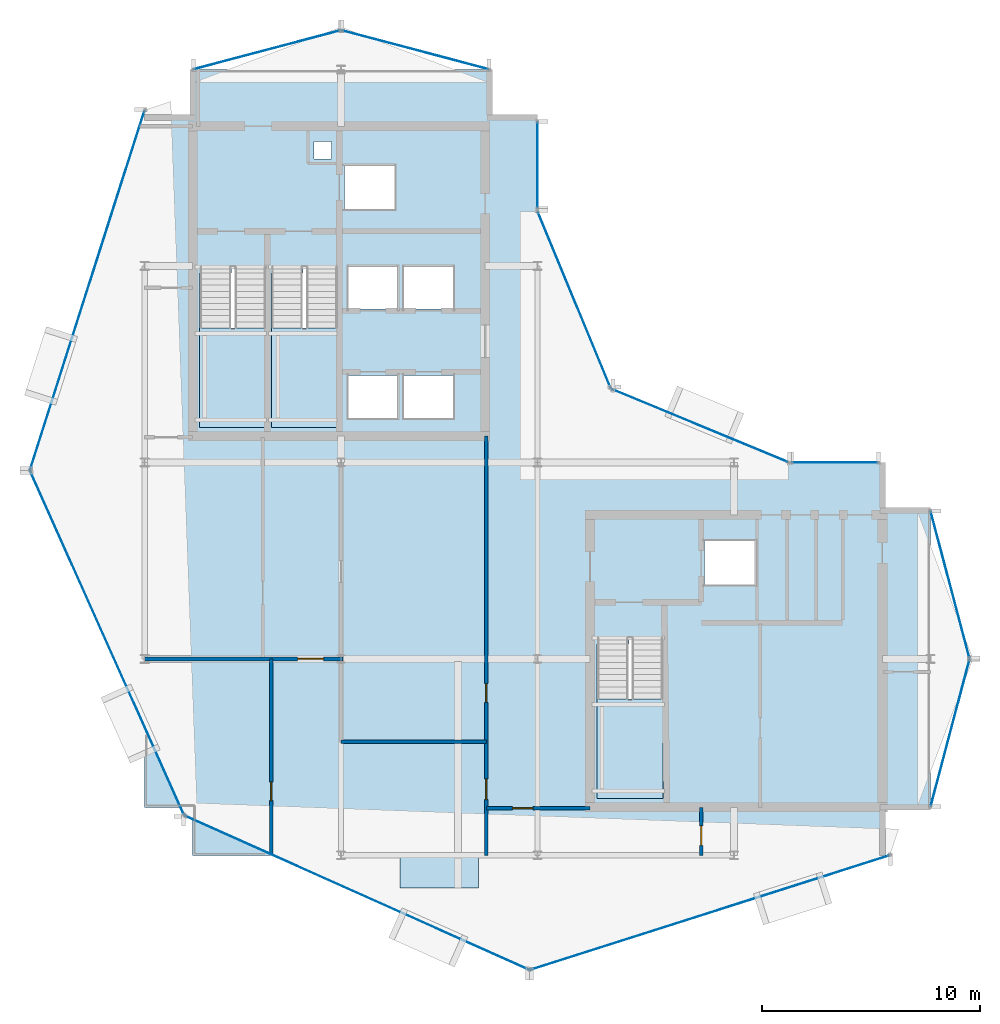
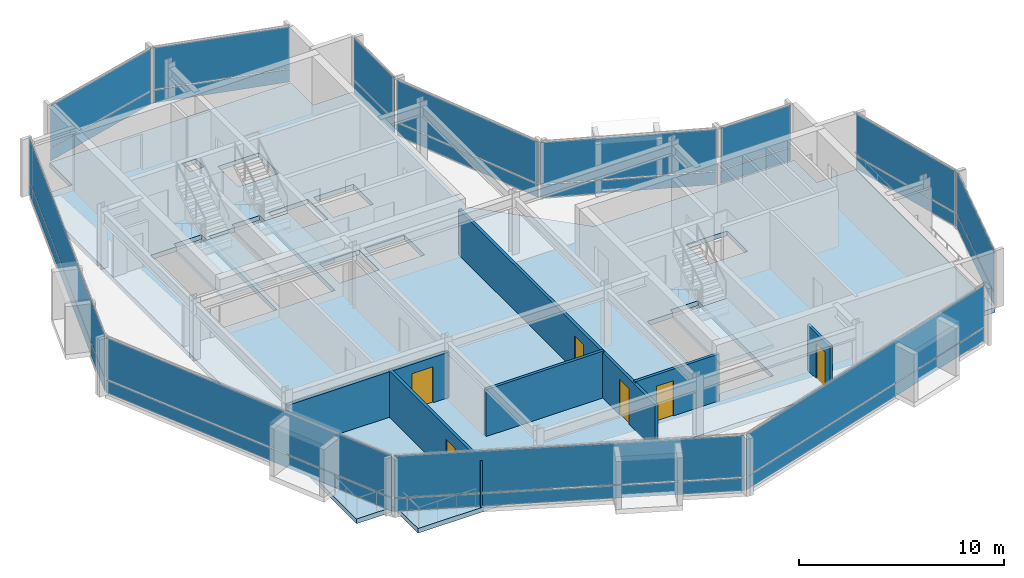
# One storey, part 13 of 19: 24 plates, 6 doors, 6 walls, 5 slabs, 6 openings, 15 elements without a shape of their own.
"""IFC4 building model written with IfcOpenShell, lengths in metres."""

import ifcopenshell
import ifcopenshell.guid

model = None  # the IFC model being written
_history = None  # IfcOwnerHistory: only IFC2X3 demands one
_inside = {}  # id of a spatial element -> (the spatial element, [elements in it])
_under = {}  # id of a project, library or spatial element -> (it, [spatial elements below it])
_declared = {}  # id of a project -> (the project, [libraries it declares])
_typed = {}  # id of a type object -> (the type object, [elements of that type])
_made_of = {}  # id of a material, layer set ... -> (it, [elements and type objects made of it])


def new_model(schema):
    """Start an empty IFC model of exactly this schema.

    Asked for "IFC4X3", IfcOpenShell would pick the latest addendum, in which some entities
    have other attributes; the version numbers below select the first issue.
    IFC2X3 requires an IfcOwnerHistory on every rooted entity: one is made here for all.
    """
    global model, _history
    if schema == "IFC4X3":
        model = ifcopenshell.file(schema_version=(4, 3, 0, 0))
    else:
        model = ifcopenshell.file(schema=schema)
    _inside.clear()
    _under.clear()
    _declared.clear()
    _typed.clear()
    _made_of.clear()
    _history = None
    if model.schema == "IFC2X3":
        org = make("IfcOrganization", Name="unknown")
        user = make(
            "IfcPersonAndOrganization",
            ThePerson=make("IfcPerson", FamilyName="unknown"),
            TheOrganization=org,
        )
        app = make(
            "IfcApplication",
            ApplicationDeveloper=org,
            Version="unknown",
            ApplicationFullName="unknown",
            ApplicationIdentifier="unknown",
        )
        _history = make(
            "IfcOwnerHistory",
            OwningUser=user,
            OwningApplication=app,
            ChangeAction="ADDED",
            CreationDate=0,
        )
    return model


def make(cls, **values):
    """One entity of the class cls with the attributes given. An attribute that is None is left unset."""
    return model.create_entity(
        cls, **{name: value for name, value in values.items() if value is not None}
    )


def rooted(cls, **values):
    """An entity with a GlobalId (a new one), such as an element, a storey or a relation."""
    return make(cls, GlobalId=ifcopenshell.guid.new(), OwnerHistory=_history, **values)


def si_unit(unit_type, name, prefix=None):
    """IfcSIUnit, for example si_unit("LENGTHUNIT", "METRE", prefix="MILLI")."""
    return make("IfcSIUnit", UnitType=unit_type, Prefix=prefix, Name=name)


def assignment(units):
    """IfcUnitAssignment: the units of a project."""
    return None if units is None else make("IfcUnitAssignment", Units=units)


def point(xyz):
    """IfcCartesianPoint."""
    return None if xyz is None else make("IfcCartesianPoint", Coordinates=xyz)


def direction(xyz):
    """IfcDirection."""
    return None if xyz is None else make("IfcDirection", DirectionRatios=xyz)


def frame(location, z_axis=None, x_axis=None):
    """IfcAxis2Placement3D, a coordinate frame: its origin and axes. An axis left out is left unset."""
    return make(
        "IfcAxis2Placement3D",
        Location=point(location),
        Axis=direction(z_axis),
        RefDirection=direction(x_axis),
    )


def frame_2d(location, x_axis=None):
    """IfcAxis2Placement2D, a coordinate frame in the plane: its origin and x axis."""
    return make(
        "IfcAxis2Placement2D", Location=point(location), RefDirection=direction(x_axis)
    )


def origin():
    """The frame at (0, 0, 0) with its axes left unset."""
    return frame((0.0, 0.0, 0.0))


def origin_2d():
    """The frame at (0, 0) in the plane with its x axis left unset."""
    return frame_2d((0.0, 0.0))


def place(relative_to, where):
    """IfcLocalPlacement: puts the frame where relative to a parent placement (None: the world)."""
    return make(
        "IfcLocalPlacement", PlacementRelTo=relative_to, RelativePlacement=where
    )


def context(
    kind, dimensions, precision=None, world=None, true_north=None, identifier=None
):
    """IfcGeometricRepresentationContext, for example the 3D "Model" context."""
    return make(
        "IfcGeometricRepresentationContext",
        ContextIdentifier=identifier,
        ContextType=kind,
        CoordinateSpaceDimension=dimensions,
        Precision=precision,
        WorldCoordinateSystem=world,
        TrueNorth=true_north,
    )


def subcontext(parent, identifier, kind, view, scale=None):
    """IfcGeometricRepresentationSubContext, for example "Body" below "Model"."""
    return make(
        "IfcGeometricRepresentationSubContext",
        ContextIdentifier=identifier,
        ContextType=kind,
        ParentContext=parent,
        TargetScale=scale,
        TargetView=view,
    )


def project(units=None, contexts=None):
    """IfcProject with its units and contexts."""
    return rooted(
        "IfcProject",
        Name="project",
        RepresentationContexts=contexts,
        UnitsInContext=assignment(units),
    )


def spatial(cls, under=None, at=None, **own):
    """A site, building, storey or space (cls), placed at a placement, below another one or the project."""
    s = rooted(cls, ObjectPlacement=at, **own)
    if under is not None:
        _under.setdefault(under.id(), (under, []))[1].append(s)
    return s


def polyline(points):
    """IfcPolyline through the points."""
    return make("IfcPolyline", Points=[point(p) for p in points])


def profile(cls, at=None, kind="AREA", **sizes):
    """A parametric profile (cls). Its sizes go by their IFC names, for example OverallWidth=200.0."""
    return make(cls, ProfileType=kind, Position=at, **sizes)


def rectangle(**sizes):
    """IfcRectangleProfileDef."""
    return profile("IfcRectangleProfileDef", **sizes)


def outline(outer, holes=None, kind="AREA"):
    """IfcArbitraryClosedProfileDef: a profile drawn as a closed curve; with holes, ...WithVoids."""
    if holes is None:
        return make("IfcArbitraryClosedProfileDef", ProfileType=kind, OuterCurve=outer)
    return make(
        "IfcArbitraryProfileDefWithVoids",
        ProfileType=kind,
        OuterCurve=outer,
        InnerCurves=holes,
    )


def extrude(swept, where, along, depth):
    """IfcExtrudedAreaSolid: the profile swept, set in the frame where, extruded along a direction by depth."""
    return make(
        "IfcExtrudedAreaSolid",
        SweptArea=swept,
        Position=where,
        ExtrudedDirection=direction(along),
        Depth=depth,
    )


def shape(context_of_items, identifier, shape_type, items):
    """IfcShapeRepresentation: the items that make up one representation, for example the "Body"."""
    return make(
        "IfcShapeRepresentation",
        ContextOfItems=context_of_items,
        RepresentationIdentifier=identifier,
        RepresentationType=shape_type,
        Items=items,
    )


def material(Name=None, Category=None):
    """IfcMaterial."""
    return make("IfcMaterial", Name=Name, Category=Category)


def layer(
    of_material, thickness, ventilated=None, Name=None, Category=None, Priority=None
):
    """IfcMaterialLayer: one layer of a wall or slab, of a material (None: an air gap)."""
    return make(
        "IfcMaterialLayer",
        Material=of_material,
        LayerThickness=thickness,
        IsVentilated=ventilated,
        Name=Name,
        Category=Category,
        Priority=Priority,
    )


def layer_set(layers, Name=None):
    """IfcMaterialLayerSet."""
    return make("IfcMaterialLayerSet", MaterialLayers=layers, LayerSetName=Name)


def made_of(thing, what):
    """Note that an element or type object is made of a material, layer set ...; save() writes the relation."""
    if what is not None:
        _made_of.setdefault(what.id(), (what, []))[1].append(thing)
    return thing


def type_object(cls, material=None, **own):
    """A type object (cls), such as IfcWallType, which elements share."""
    return made_of(rooted(cls, **own), material)


def element(
    cls,
    number,
    at=None,
    inside=None,
    cuts=None,
    type_object=None,
    material=None,
    context=None,
    identifier="Body",
    shape_type=None,
    held_by="IfcProductDefinitionShape",
    body=None,
    shapes=None,
    **own,
):
    """One element of the class cls, such as IfcWall. Its Tag is "e" and its number.

    at: its placement. inside: the storey or other place that contains it. cuts: it is an
    opening in that element (IfcRelVoidsElement). A single representation is given by context,
    identifier, shape_type and body (its items); several are given by shapes. held_by: the class
    of the entity that holds the representations. save() writes the other relations.
    """
    e = rooted(cls, Tag="e%d" % number, ObjectPlacement=at, **own)
    if body is not None:
        shapes = [shape(context, identifier, shape_type, body)]
    if shapes is not None:
        e.Representation = make(held_by, Representations=shapes)
    if inside is not None:
        _inside.setdefault(inside.id(), (inside, []))[1].append(e)
    if cuts is not None:
        rooted(
            "IfcRelVoidsElement", RelatingBuildingElement=cuts, RelatedOpeningElement=e
        )
    if type_object is not None:
        _typed.setdefault(type_object.id(), (type_object, []))[1].append(e)
    return made_of(e, material)


def fill(opening, filler):
    """IfcRelFillsElement: the door or window that sits in an opening."""
    return rooted(
        "IfcRelFillsElement",
        RelatingOpeningElement=opening,
        RelatedBuildingElement=filler,
    )


def aggregate(whole, parts):
    """IfcRelAggregates: a whole, such as a stair, and the parts it consists of."""
    return rooted("IfcRelAggregates", RelatingObject=whole, RelatedObjects=parts)


def save(model, path):
    """Write the relations noted so far, then the file.

    IfcRelAggregates (storeys below a building ...), IfcRelContainedInSpatialStructure (elements
    in a storey), IfcRelDefinesByType, IfcRelAssociatesMaterial and IfcRelDeclares: one each for
    every whole, place, type object, material and project.
    """
    for whole, parts in _under.values():
        aggregate(whole, parts)
    for where, things in _inside.values():
        rooted(
            "IfcRelContainedInSpatialStructure",
            RelatedElements=things,
            RelatingStructure=where,
        )
    for kind, things in _typed.values():
        rooted("IfcRelDefinesByType", RelatedObjects=things, RelatingType=kind)
    for what, things in _made_of.values():
        rooted("IfcRelAssociatesMaterial", RelatedObjects=things, RelatingMaterial=what)
    for by, libraries in _declared.values():
        rooted("IfcRelDeclares", RelatingContext=by, RelatedDefinitions=libraries)
    model.write(path)


model = new_model("IFC4")

# Units and contexts
model_context = context("Model", 3, precision=1e-05, world=origin(), true_north=direction((0.0, 1.0)))
body_context = subcontext(model_context, "Body", "Model", "MODEL_VIEW")
ifc_project = project(units=[si_unit("LENGTHUNIT", "METRE"), si_unit("AREAUNIT", "SQUARE_METRE"), si_unit("VOLUMEUNIT", "CUBIC_METRE"), si_unit("PLANEANGLEUNIT", "RADIAN"), si_unit("MASSUNIT", "GRAM", prefix="KILO")], contexts=[model_context])

# Site, building, storey
site_placement = place(None, origin())
site = spatial("IfcSite", under=ifc_project, at=site_placement, CompositionType="ELEMENT")
building_placement = place(site_placement, origin())
building = spatial("IfcBuilding", under=site, at=building_placement, Name="Solvaryn Broadcast Tower", CompositionType="ELEMENT")
storey_placement = place(building_placement, frame((0.0, 0.0, 255.60009765625)))
storey = spatial("IfcBuildingStorey", under=building, at=storey_placement, Name="L64", CompositionType="ELEMENT", Elevation=255.60009765625)

# Curtain wall, plates
ifc_material_1 = material(Name="Aluminium and Terracotta Unitised Curtain Wall", Category="masonry")
ifc_layer_1 = layer(ifc_material_1, 0.199951171875)
ifc_layer_set_1 = layer_set([ifc_layer_1], Name="CW-SYS2-LOWMID")
curtain_wall_type_1 = type_object("IfcCurtainWallType", Name="CW-SYS2-LOWMID", PredefinedType="NOTDEFINED", material=ifc_layer_set_1)
curtain_wall_1_placement = place(storey_placement, origin())
curtain_wall_1 = element("IfcCurtainWall", 1, at=curtain_wall_1_placement, inside=storey, type_object=curtain_wall_type_1, Name="L64 Curtain Wall DR1", PredefinedType="NOTDEFINED")
ifc_material_2 = material(Name="Kiln-Fired Architectural Terracotta Spandrel", Category="masonry")
ifc_layer_2 = layer(ifc_material_2, 0.048095703125)
ifc_layer_set_2 = layer_set([ifc_layer_2], Name="CW-PNL-TERRACOTTA")
plate_type = type_object("IfcPlateType", Name="CW-PNL-TERRACOTTA", PredefinedType="CURTAIN_PANEL", material=ifc_layer_set_2)
plate_1_placement = place(storey_placement, frame((6.368896484375, 34.892578125, 0.06005859375), z_axis=(0.0, 0.0, 1.0), x_axis=(-0.30361564569, -0.952794594701, 0.0)))
plate_1 = element("IfcPlate", 2, at=plate_1_placement, type_object=plate_type, Name="CWS2 panel 1.1", PredefinedType="CURTAIN_PANEL", context=body_context, shape_type="SweptSolid", body=[
    extrude(rectangle(XDim=17.211181640625, YDim=0.028076171875, at=origin_2d()), origin(), (0.0, 0.0, 1.0), 0.760009765625),
])
plate_2_placement = place(storey_placement, frame((6.368896484375, 34.892578125, 0.8798828125), z_axis=(0.0, 0.0, 1.0), x_axis=(-0.30361564569, -0.952794594701, 0.0)))
plate_2 = element("IfcPlate", 3, at=plate_2_placement, type_object=plate_type, Name="CWS2 panel 1.2", PredefinedType="CURTAIN_PANEL", context=body_context, shape_type="SweptSolid", body=[
    extrude(rectangle(XDim=17.211181640625, YDim=0.028076171875, at=origin_2d()), origin(), (0.0, 0.0, 1.0), 2.47998046875),
])
aggregate(curtain_wall_1, [plate_1, plate_2])

ifc_material_3 = material(Name="Aluminium and Terracotta Unitised Curtain Wall", Category="masonry")
ifc_layer_3 = layer(ifc_material_3, 0.239990234375)
ifc_layer_set_3 = layer_set([ifc_layer_3], Name="CW-SYS3-BAYBOX")
curtain_wall_type_2 = type_object("IfcCurtainWallType", Name="CW-SYS3-BAYBOX", PredefinedType="NOTDEFINED", material=ifc_layer_set_3)
curtain_wall_2_placement = place(storey_placement, origin())
curtain_wall_2 = element("IfcCurtainWall", 4, at=curtain_wall_2_placement, inside=storey, type_object=curtain_wall_type_2, Name="L64 Curtain Wall DR2", PredefinedType="NOTDEFINED")
plate_3_placement = place(storey_placement, frame((7.277587890625, 18.7265625, 0.06005859375), z_axis=(0.0, 0.0, 1.0), x_axis=(0.408466010682, -0.912773530574, 0.0)))
plate_3 = element("IfcPlate", 5, at=plate_3_placement, type_object=plate_type, Name="CWS3 panel 1.1", PredefinedType="CURTAIN_PANEL", context=body_context, shape_type="SweptSolid", body=[
    extrude(rectangle(XDim=17.210693359375, YDim=0.028076171875, at=origin_2d()), origin(), (0.0, 0.0, 1.0), 0.760009765625),
])
plate_4_placement = place(storey_placement, frame((7.277587890625, 18.7265625, 0.8798828125), z_axis=(0.0, 0.0, 1.0), x_axis=(0.408466010682, -0.912773530574, 0.0)))
plate_4 = element("IfcPlate", 6, at=plate_4_placement, type_object=plate_type, Name="CWS3 panel 1.2", PredefinedType="CURTAIN_PANEL", context=body_context, shape_type="SweptSolid", body=[
    extrude(rectangle(XDim=17.210693359375, YDim=0.028076171875, at=origin_2d()), origin(), (0.0, 0.0, 1.0), 2.47998046875),
])
aggregate(curtain_wall_2, [plate_3, plate_4])

curtain_wall_3_placement = place(storey_placement, origin())
curtain_wall_3 = element("IfcCurtainWall", 7, at=curtain_wall_3_placement, inside=storey, type_object=curtain_wall_type_1, Name="L64 Curtain Wall DR3", PredefinedType="NOTDEFINED")
plate_5_placement = place(storey_placement, frame((18.7265625, 7.277587890625, 0.06005859375), z_axis=(0.0, 0.0, 1.0), x_axis=(0.912773530574, -0.408466010682, 0.0)))
plate_5 = element("IfcPlate", 8, at=plate_5_placement, type_object=plate_type, Name="CWS2 panel 1.1", PredefinedType="CURTAIN_PANEL", context=body_context, shape_type="SweptSolid", body=[
    extrude(rectangle(XDim=17.210693359375, YDim=0.028076171875, at=origin_2d()), origin(), (0.0, 0.0, 1.0), 0.760009765625),
])
plate_6_placement = place(storey_placement, frame((18.7265625, 7.277587890625, 0.8798828125), z_axis=(0.0, 0.0, 1.0), x_axis=(0.912773530574, -0.408466010682, 0.0)))
plate_6 = element("IfcPlate", 9, at=plate_6_placement, type_object=plate_type, Name="CWS2 panel 1.2", PredefinedType="CURTAIN_PANEL", context=body_context, shape_type="SweptSolid", body=[
    extrude(rectangle(XDim=17.210693359375, YDim=0.028076171875, at=origin_2d()), origin(), (0.0, 0.0, 1.0), 2.47998046875),
])
aggregate(curtain_wall_3, [plate_5, plate_6])

curtain_wall_4_placement = place(storey_placement, origin())
curtain_wall_4 = element("IfcCurtainWall", 10, at=curtain_wall_4_placement, inside=storey, type_object=curtain_wall_type_1, Name="L64 Curtain Wall DR4", PredefinedType="NOTDEFINED")
plate_7_placement = place(storey_placement, frame((34.892578125, 6.368896484375, 0.06005859375), z_axis=(0.0, 0.0, 1.0), x_axis=(0.952794594701, 0.30361564569, 0.0)))
plate_7 = element("IfcPlate", 11, at=plate_7_placement, type_object=plate_type, Name="CWS2 panel 1.1", PredefinedType="CURTAIN_PANEL", context=body_context, shape_type="SweptSolid", body=[
    extrude(rectangle(XDim=17.211181640625, YDim=0.028076171875, at=origin_2d()), origin(), (0.0, 0.0, 1.0), 0.760009765625),
])
plate_8_placement = place(storey_placement, frame((34.892578125, 6.368896484375, 0.8798828125), z_axis=(0.0, 0.0, 1.0), x_axis=(0.952794594701, 0.30361564569, 0.0)))
plate_8 = element("IfcPlate", 12, at=plate_8_placement, type_object=plate_type, Name="CWS2 panel 1.2", PredefinedType="CURTAIN_PANEL", context=body_context, shape_type="SweptSolid", body=[
    extrude(rectangle(XDim=17.211181640625, YDim=0.028076171875, at=origin_2d()), origin(), (0.0, 0.0, 1.0), 2.47998046875),
])
aggregate(curtain_wall_4, [plate_7, plate_8])

curtain_wall_5_placement = place(storey_placement, origin())
curtain_wall_5 = element("IfcCurtainWall", 13, at=curtain_wall_5_placement, inside=storey, type_object=curtain_wall_type_1, Name="L64 Curtain Wall IV", PredefinedType="NOTDEFINED")
plate_9_placement = place(storey_placement, frame((27.0, 40.625, 0.06005859375), z_axis=(0.0, 0.0, 1.0), x_axis=(0.0, -1.0, 0.0)))
plate_9 = element("IfcPlate", 14, at=plate_9_placement, type_object=plate_type, Name="CWS2 panel 1.1", PredefinedType="CURTAIN_PANEL", context=body_context, shape_type="SweptSolid", body=[
    extrude(rectangle(XDim=3.929931640625, YDim=0.028076171875, at=origin_2d()), origin(), (0.0, 0.0, 1.0), 0.760009765625),
])
plate_10_placement = place(storey_placement, frame((27.0, 40.625, 0.8798828125), z_axis=(0.0, 0.0, 1.0), x_axis=(0.0, -1.0, 0.0)))
plate_10 = element("IfcPlate", 15, at=plate_10_placement, type_object=plate_type, Name="CWS2 panel 1.2", PredefinedType="CURTAIN_PANEL", context=body_context, shape_type="SweptSolid", body=[
    extrude(rectangle(XDim=3.929931640625, YDim=0.028076171875, at=origin_2d()), origin(), (0.0, 0.0, 1.0), 2.47998046875),
])
aggregate(curtain_wall_5, [plate_9, plate_10])

curtain_wall_6_placement = place(storey_placement, origin())
curtain_wall_6 = element("IfcCurtainWall", 16, at=curtain_wall_6_placement, inside=storey, type_object=curtain_wall_type_1, Name="L64 Curtain Wall CN1", PredefinedType="NOTDEFINED")
plate_11_placement = place(storey_placement, frame((34.43408203125, 28.68408203125, 0.06005859375), z_axis=(0.0, 0.0, 1.0), x_axis=(-0.923894983957, 0.382646127145, 0.0)))
plate_11 = element("IfcPlate", 17, at=plate_11_placement, type_object=plate_type, Name="CWS2 panel 1.1", PredefinedType="CURTAIN_PANEL", context=body_context, shape_type="SweptSolid", body=[
    extrude(rectangle(XDim=8.681884765625, YDim=0.028076171875, at=origin_2d()), origin(), (0.0, 0.0, 1.0), 0.760009765625),
])
plate_12_placement = place(storey_placement, frame((34.43408203125, 28.68408203125, 0.8798828125), z_axis=(0.0, 0.0, 1.0), x_axis=(-0.923894983957, 0.382646127145, 0.0)))
plate_12 = element("IfcPlate", 18, at=plate_12_placement, type_object=plate_type, Name="CWS2 panel 1.2", PredefinedType="CURTAIN_PANEL", context=body_context, shape_type="SweptSolid", body=[
    extrude(rectangle(XDim=8.681884765625, YDim=0.028076171875, at=origin_2d()), origin(), (0.0, 0.0, 1.0), 2.47998046875),
])
aggregate(curtain_wall_6, [plate_11, plate_12])

curtain_wall_7_placement = place(storey_placement, origin())
curtain_wall_7 = element("IfcCurtainWall", 19, at=curtain_wall_7_placement, inside=storey, type_object=curtain_wall_type_1, Name="L64 Curtain Wall CN2", PredefinedType="NOTDEFINED")
plate_13_placement = place(storey_placement, frame((28.68408203125, 34.43408203125, 0.06005859375), z_axis=(0.0, 0.0, 1.0), x_axis=(-0.382646127145, 0.923894983957, 0.0)))
plate_13 = element("IfcPlate", 20, at=plate_13_placement, type_object=plate_type, Name="CWS2 panel 1.1", PredefinedType="CURTAIN_PANEL", context=body_context, shape_type="SweptSolid", body=[
    extrude(rectangle(XDim=8.681884765625, YDim=0.028076171875, at=origin_2d()), origin(), (0.0, 0.0, 1.0), 0.760009765625),
])
plate_14_placement = place(storey_placement, frame((28.68408203125, 34.43408203125, 0.8798828125), z_axis=(0.0, 0.0, 1.0), x_axis=(-0.382646127145, 0.923894983957, 0.0)))
plate_14 = element("IfcPlate", 21, at=plate_14_placement, type_object=plate_type, Name="CWS2 panel 1.2", PredefinedType="CURTAIN_PANEL", context=body_context, shape_type="SweptSolid", body=[
    extrude(rectangle(XDim=8.681884765625, YDim=0.028076171875, at=origin_2d()), origin(), (0.0, 0.0, 1.0), 2.47998046875),
])
aggregate(curtain_wall_7, [plate_13, plate_14])

curtain_wall_8_placement = place(storey_placement, origin())
curtain_wall_8 = element("IfcCurtainWall", 22, at=curtain_wall_8_placement, inside=storey, type_object=curtain_wall_type_1, Name="L64 Curtain Wall NT1", PredefinedType="NOTDEFINED")
plate_15_placement = place(storey_placement, frame((21.39990234375, 45.89990234375, 0.06005859375), z_axis=(0.0, 0.0, 1.0), x_axis=(-0.966705227863, 0.25589256031, 0.0)))
plate_15 = element("IfcPlate", 23, at=plate_15_placement, type_object=plate_type, Name="CWS2 panel 1.1", PredefinedType="CURTAIN_PANEL", context=body_context, shape_type="SweptSolid", body=[
    extrude(rectangle(XDim=6.914306640625, YDim=0.028076171875, at=origin_2d()), origin(), (0.0, 0.0, 1.0), 0.760009765625),
])
plate_16_placement = place(storey_placement, frame((21.39990234375, 45.89990234375, 0.8798828125), z_axis=(0.0, 0.0, 1.0), x_axis=(-0.966705227863, 0.25589256031, 0.0)))
plate_16 = element("IfcPlate", 24, at=plate_16_placement, type_object=plate_type, Name="CWS2 panel 1.2", PredefinedType="CURTAIN_PANEL", context=body_context, shape_type="SweptSolid", body=[
    extrude(rectangle(XDim=6.914306640625, YDim=0.028076171875, at=origin_2d()), origin(), (0.0, 0.0, 1.0), 2.47998046875),
])
aggregate(curtain_wall_8, [plate_15, plate_16])

curtain_wall_9_placement = place(storey_placement, origin())
curtain_wall_9 = element("IfcCurtainWall", 25, at=curtain_wall_9_placement, inside=storey, type_object=curtain_wall_type_1, Name="L64 Curtain Wall NT2", PredefinedType="NOTDEFINED")
plate_17_placement = place(storey_placement, frame((14.60009765625, 45.89990234375, 0.06005859375), z_axis=(0.0, 0.0, 1.0), x_axis=(-0.966705227863, -0.25589256031, 0.0)))
plate_17 = element("IfcPlate", 26, at=plate_17_placement, type_object=plate_type, Name="CWS2 panel 1.1", PredefinedType="CURTAIN_PANEL", context=body_context, shape_type="SweptSolid", body=[
    extrude(rectangle(XDim=6.914306640625, YDim=0.028076171875, at=origin_2d()), origin(), (0.0, 0.0, 1.0), 0.760009765625),
])
plate_18_placement = place(storey_placement, frame((14.60009765625, 45.89990234375, 0.8798828125), z_axis=(0.0, 0.0, 1.0), x_axis=(-0.966705227863, -0.25589256031, 0.0)))
plate_18 = element("IfcPlate", 27, at=plate_18_placement, type_object=plate_type, Name="CWS2 panel 1.2", PredefinedType="CURTAIN_PANEL", context=body_context, shape_type="SweptSolid", body=[
    extrude(rectangle(XDim=6.914306640625, YDim=0.028076171875, at=origin_2d()), origin(), (0.0, 0.0, 1.0), 2.47998046875),
])
aggregate(curtain_wall_9, [plate_17, plate_18])

curtain_wall_10_placement = place(storey_placement, origin())
curtain_wall_10 = element("IfcCurtainWall", 28, at=curtain_wall_10_placement, inside=storey, type_object=curtain_wall_type_1, Name="L64 Curtain Wall ET1", PredefinedType="NOTDEFINED")
plate_19_placement = place(storey_placement, frame((45.89990234375, 21.39990234375, 0.06005859375), z_axis=(0.0, 0.0, 1.0), x_axis=(0.25589256031, -0.966705227863, 0.0)))
plate_19 = element("IfcPlate", 29, at=plate_19_placement, type_object=plate_type, Name="CWS2 panel 1.1", PredefinedType="CURTAIN_PANEL", context=body_context, shape_type="SweptSolid", body=[
    extrude(rectangle(XDim=6.914306640625, YDim=0.028076171875, at=origin_2d()), origin(), (0.0, 0.0, 1.0), 0.760009765625),
])
plate_20_placement = place(storey_placement, frame((45.89990234375, 21.39990234375, 0.8798828125), z_axis=(0.0, 0.0, 1.0), x_axis=(0.25589256031, -0.966705227863, 0.0)))
plate_20 = element("IfcPlate", 30, at=plate_20_placement, type_object=plate_type, Name="CWS2 panel 1.2", PredefinedType="CURTAIN_PANEL", context=body_context, shape_type="SweptSolid", body=[
    extrude(rectangle(XDim=6.914306640625, YDim=0.028076171875, at=origin_2d()), origin(), (0.0, 0.0, 1.0), 2.47998046875),
])
aggregate(curtain_wall_10, [plate_19, plate_20])

curtain_wall_11_placement = place(storey_placement, origin())
curtain_wall_11 = element("IfcCurtainWall", 31, at=curtain_wall_11_placement, inside=storey, type_object=curtain_wall_type_1, Name="L64 Curtain Wall ET2", PredefinedType="NOTDEFINED")
plate_21_placement = place(storey_placement, frame((45.89990234375, 14.60009765625, 0.06005859375), z_axis=(0.0, 0.0, 1.0), x_axis=(-0.25589256031, -0.966705227863, 0.0)))
plate_21 = element("IfcPlate", 32, at=plate_21_placement, type_object=plate_type, Name="CWS2 panel 1.1", PredefinedType="CURTAIN_PANEL", context=body_context, shape_type="SweptSolid", body=[
    extrude(rectangle(XDim=6.914306640625, YDim=0.028076171875, at=origin_2d()), origin(), (0.0, 0.0, 1.0), 0.760009765625),
])
plate_22_placement = place(storey_placement, frame((45.89990234375, 14.60009765625, 0.8798828125), z_axis=(0.0, 0.0, 1.0), x_axis=(-0.25589256031, -0.966705227863, 0.0)))
plate_22 = element("IfcPlate", 33, at=plate_22_placement, type_object=plate_type, Name="CWS2 panel 1.2", PredefinedType="CURTAIN_PANEL", context=body_context, shape_type="SweptSolid", body=[
    extrude(rectangle(XDim=6.914306640625, YDim=0.028076171875, at=origin_2d()), origin(), (0.0, 0.0, 1.0), 2.47998046875),
])
aggregate(curtain_wall_11, [plate_21, plate_22])

curtain_wall_12_placement = place(storey_placement, origin())
curtain_wall_12 = element("IfcCurtainWall", 34, at=curtain_wall_12_placement, inside=storey, type_object=curtain_wall_type_1, Name="L64 Curtain Wall IH", PredefinedType="NOTDEFINED")
plate_23_placement = place(storey_placement, frame((40.625, 27.0, 0.06005859375), z_axis=(0.0, 0.0, 1.0), x_axis=(1.0, 0.0, 0.0)))
plate_23 = element("IfcPlate", 35, at=plate_23_placement, type_object=plate_type, Name="CWS2 panel 1.1", PredefinedType="CURTAIN_PANEL", context=body_context, shape_type="SweptSolid", body=[
    extrude(rectangle(XDim=3.929931640625, YDim=0.028076171875, at=origin_2d()), origin(), (0.0, 0.0, 1.0), 0.760009765625),
])
plate_24_placement = place(storey_placement, frame((40.625, 27.0, 0.8798828125), z_axis=(0.0, 0.0, 1.0), x_axis=(1.0, 0.0, 0.0)))
plate_24 = element("IfcPlate", 36, at=plate_24_placement, type_object=plate_type, Name="CWS2 panel 1.2", PredefinedType="CURTAIN_PANEL", context=body_context, shape_type="SweptSolid", body=[
    extrude(rectangle(XDim=3.929931640625, YDim=0.028076171875, at=origin_2d()), origin(), (0.0, 0.0, 1.0), 2.47998046875),
])
aggregate(curtain_wall_12, [plate_23, plate_24])

# Slab
ifc_material_4 = material(Name="Concrete f'c 60 MPa", Category="concrete")
ifc_layer_4 = layer(ifc_material_4, 0.2099609375)
ifc_layer_set_4 = layer_set([ifc_layer_4], Name="SL-BAYBOX-210")
slab_type_1 = type_object("IfcSlabType", Name="SL-BAYBOX-210", PredefinedType="FLOOR", material=ifc_layer_set_4)
slab_1_placement = place(storey_placement, frame((0.0, 0.0, -0.210205078125)))
element("IfcSlab", 37, at=slab_1_placement, inside=storey, type_object=slab_type_1, Name="L64 Projecting Bay-Box Slab 1", PredefinedType="FLOOR", context=body_context, shape_type="SweptSolid", body=[
    extrude(outline(polyline([(20.699951171875, 7.5), (24.300048828125, 7.5), (24.300048828125, 9.0), (20.699951171875, 9.0), (20.699951171875, 7.5)])), origin(), (0.0, 0.0, 1.0), 0.210205078125),
])

# Stair, slab
ifc_material_5 = material(Name="Concrete f'c 60 MPa", Category="concrete")
stair_type = type_object("IfcStairType", Name="ST-CORE", PredefinedType="HALF_TURN_STAIR", material=ifc_material_5)
stair_1_placement = place(storey_placement, origin())
stair_1 = element("IfcStair", 38, at=stair_1_placement, inside=storey, type_object=stair_type, Name="L64 ST1", PredefinedType="HALF_TURN_STAIR")
ifc_material_6 = material(Name="Concrete f'c 60 MPa", Category="concrete")
ifc_layer_5 = layer(ifc_material_6, 0.199951171875)
ifc_layer_set_5 = layer_set([ifc_layer_5], Name="SL-LANDING-200")
slab_type_2 = type_object("IfcSlabType", Name="SL-LANDING-200", PredefinedType="LANDING", material=ifc_layer_set_5)
slab_2_placement = place(storey_placement, frame((0.0, 0.0, 1.64990234375)))
slab_2 = element("IfcSlab", 39, at=slab_2_placement, type_object=slab_type_2, Name="ST1 landing 1", PredefinedType="LANDING", context=body_context, shape_type="SweptSolid", body=[
    extrude(outline(polyline([(11.52001953125, 33.159912109375), (11.52001953125, 28.60009765625), (14.550048828125, 28.60009765625), (14.550048828125, 33.159912109375), (11.52001953125, 33.159912109375)])), origin(), (0.0, 0.0, 1.0), 0.199951171875),
])
aggregate(stair_1, [slab_2])

stair_2_placement = place(storey_placement, origin())
stair_2 = element("IfcStair", 40, at=stair_2_placement, inside=storey, type_object=stair_type, Name="L64 ST2", PredefinedType="HALF_TURN_STAIR")
slab_3_placement = place(storey_placement, frame((0.0, 0.0, 1.64990234375)))
slab_3 = element("IfcSlab", 41, at=slab_3_placement, type_object=slab_type_2, Name="ST2 landing 1", PredefinedType="LANDING", context=body_context, shape_type="SweptSolid", body=[
    extrude(outline(polyline([(14.800048828125, 33.159912109375), (14.800048828125, 28.60009765625), (17.830078125, 28.60009765625), (17.830078125, 33.159912109375), (14.800048828125, 33.159912109375)])), origin(), (0.0, 0.0, 1.0), 0.199951171875),
])
aggregate(stair_2, [slab_3])

stair_3_placement = place(storey_placement, origin())
stair_3 = element("IfcStair", 42, at=stair_3_placement, inside=storey, type_object=stair_type, Name="L64 ST3", PredefinedType="HALF_TURN_STAIR")
slab_4_placement = place(storey_placement, frame((0.0, 0.0, 1.64990234375)))
slab_4 = element("IfcSlab", 43, at=slab_4_placement, type_object=slab_type_2, Name="ST3 landing 1", PredefinedType="LANDING", context=body_context, shape_type="SweptSolid", body=[
    extrude(outline(polyline([(29.719970703125, 16.159912109375), (29.719970703125, 11.60009765625), (32.75, 11.60009765625), (32.75, 16.159912109375), (29.719970703125, 16.159912109375)])), origin(), (0.0, 0.0, 1.0), 0.199951171875),
])
aggregate(stair_3, [slab_4])

# Slab
ifc_material_7 = material(Name="Concrete f'c 60 MPa", Category="concrete")
ifc_layer_6 = layer(ifc_material_7, 0.280029296875)
ifc_layer_set_6 = layer_set([ifc_layer_6], Name="SL-TWR-280")
slab_type_3 = type_object("IfcSlabType", Name="SL-TWR-280", PredefinedType="FLOOR", material=ifc_layer_set_6)
slab_5_placement = place(storey_placement, frame((0.0, 0.0, -0.280029296875)))
element("IfcSlab", 44, at=slab_5_placement, inside=storey, type_object=slab_type_3, Name="L64 Structural Floor Slab", PredefinedType="FLOOR", context=body_context, shape_type="SweptSolid", body=[
    extrude(outline(polyline([(11.199951171875, 9.0), (42.800048828125, 9.0), (42.800048828125, 11.199951171875), (45.0, 11.199951171875), (45.0, 24.800048828125), (42.800048828125, 24.800048828125), (42.800048828125, 27.0), (31.5, 27.0), (27.0, 31.5), (27.0, 42.800048828125), (24.800048828125, 42.800048828125), (24.800048828125, 45.0), (11.199951171875, 45.0), (11.199951171875, 42.800048828125), (9.0, 42.800048828125), (9.0, 11.199951171875), (11.199951171875, 11.199951171875), (11.199951171875, 9.0)]), holes=[polyline([(11.52001953125, 28.60009765625), (14.550048828125, 28.60009765625), (14.550048828125, 35.9599609375), (12.97998046875, 35.9599609375), (12.97998046875, 35.679931640625), (11.52001953125, 35.679931640625), (11.52001953125, 28.60009765625)]), polyline([(14.800048828125, 28.60009765625), (17.830078125, 28.60009765625), (17.830078125, 35.9599609375), (16.260009765625, 35.9599609375), (16.260009765625, 35.679931640625), (14.800048828125, 35.679931640625), (14.800048828125, 28.60009765625)]), polyline([(29.719970703125, 11.60009765625), (32.75, 11.60009765625), (32.75, 18.9599609375), (31.179931640625, 18.9599609375), (31.179931640625, 18.679931640625), (29.719970703125, 18.679931640625), (29.719970703125, 11.60009765625)]), polyline([(18.14990234375, 38.60009765625), (20.449951171875, 38.60009765625), (20.449951171875, 40.60009765625), (18.14990234375, 40.60009765625), (18.14990234375, 38.60009765625)]), polyline([(18.324951171875, 29.02490234375), (20.574951171875, 29.02490234375), (20.574951171875, 30.97509765625), (18.324951171875, 30.97509765625), (18.324951171875, 29.02490234375)]), polyline([(20.875, 29.02490234375), (23.125, 29.02490234375), (23.125, 30.97509765625), (20.875, 30.97509765625), (20.875, 29.02490234375)]), polyline([(18.324951171875, 34.02490234375), (20.574951171875, 34.02490234375), (20.574951171875, 35.97509765625), (18.324951171875, 35.97509765625), (18.324951171875, 34.02490234375)]), polyline([(20.875, 34.02490234375), (23.125, 34.02490234375), (23.125, 35.97509765625), (20.875, 35.97509765625), (20.875, 34.02490234375)]), polyline([(34.64990234375, 21.39990234375), (36.949951171875, 21.39990234375), (36.949951171875, 23.39990234375), (34.64990234375, 23.39990234375), (34.64990234375, 21.39990234375)]), polyline([(16.75, 40.89990234375), (17.550048828125, 40.89990234375), (17.550048828125, 41.699951171875), (16.75, 41.699951171875), (16.75, 40.89990234375)])]), origin(), (0.0, 0.0, 1.0), 0.280029296875),
])

# Wall, opening, door
ifc_material_8 = material(Name="Metal-Stud Service Core Partition")
ifc_layer_7 = layer(ifc_material_8, 0.14990234375)
ifc_layer_set_7 = layer_set([ifc_layer_7], Name="IW-PART-150")
wall_type_1 = type_object("IfcWallType", Name="IW-PART-150", PredefinedType="PARTITIONING", material=ifc_layer_set_7)
wall_1_placement = place(storey_placement, frame((34.5, 9.0, 0.0), z_axis=(0.0, 0.0, 1.0), x_axis=(0.0, 1.0, 0.0)))
wall_1 = element("IfcWall", 45, at=wall_1_placement, inside=storey, type_object=wall_type_1, Name="L64 Interior Partition IW-L64-SC-V", PredefinedType="PARTITIONING", context=body_context, shape_type="SweptSolid", body=[
    extrude(rectangle(XDim=2.199951171875, YDim=0.14990234375, at=frame_2d((1.10009765625, 0.0))), origin(), (0.0, 0.0, 1.0), 2.706787109375),
])
opening_1_placement = place(wall_1_placement, frame((0.449951171875, 0.0, 0.0)))
opening_1 = element("IfcOpeningElement", 46, at=opening_1_placement, cuts=wall_1, Name="Opening FD60C", PredefinedType="OPENING", context=body_context, shape_type="SweptSolid", body=[
    extrude(rectangle(XDim=0.89990234375, YDim=2.10009765625, at=frame_2d((0.449951171875, 1.050048828125))), frame((0.0, 0.0849609375, 0.0), z_axis=(0.0, -1.0, 0.0), x_axis=(1.0, 0.0, 0.0)), (0.0, 0.0, 1.0), 0.169921875),
])
ifc_material_9 = material(Name="Flush Acoustic Steel and Timber Door Assembly", Category="steel")
door_type_1 = type_object("IfcDoorType", Name="FD60-SERV-900X2100", OperationType="NOTDEFINED", PredefinedType="DOOR", material=ifc_material_9)
door_1_placement = place(opening_1_placement, origin())
door_1 = element("IfcDoor", 47, at=door_1_placement, inside=storey, type_object=door_type_1, Name="L64 Door DR-L64-SC1", OperationType="SINGLE_SWING_LEFT", OverallHeight=2.10009765625, OverallWidth=0.89990234375, PredefinedType="DOOR", context=body_context, shape_type="SweptSolid", body=[
    extrude(rectangle(XDim=0.89990234375, YDim=2.10009765625, at=frame_2d((0.449951171875, 1.050048828125))), frame((0.0, 0.02490234375, 0.0), z_axis=(0.0, -1.0, 0.0), x_axis=(1.0, 0.0, 0.0)), (0.0, 0.0, 1.0), 0.050048828125),
])
fill(opening_1, door_1)

# Wall, openings, doors
ifc_material_10 = material(Name="Metal-Stud Gypsum Office Partition")
ifc_layer_8 = layer(ifc_material_10, 0.159912109375)
ifc_layer_set_8 = layer_set([ifc_layer_8], Name="IW-PART-160")
wall_type_2 = type_object("IfcWallType", Name="IW-PART-160", PredefinedType="PARTITIONING", material=ifc_layer_set_8)
wall_2_placement = place(storey_placement, frame((24.64990234375, 9.0, 0.0), z_axis=(0.0, 0.0, 1.0), x_axis=(0.0, 1.0, 0.0)))
wall_2 = element("IfcWall", 48, at=wall_2_placement, inside=storey, type_object=wall_type_2, Name="L64 Interior Partition IW-L64-SW-EB", PredefinedType="PARTITIONING", context=body_context, shape_type="SweptSolid", body=[
    extrude(rectangle(XDim=19.199951171875, YDim=0.159912109375, at=frame_2d((9.60009765625, 0.0))), origin(), (0.0, 0.0, 1.0), 2.706787109375),
])
opening_2_placement = place(wall_2_placement, frame((7.0, 0.0, 0.0)))
opening_2 = element("IfcOpeningElement", 49, at=opening_2_placement, cuts=wall_2, Name="Opening ID07", PredefinedType="OPENING", context=body_context, shape_type="SweptSolid", body=[
    extrude(rectangle(XDim=0.860107421875, YDim=2.050048828125, at=frame_2d((0.43017578125, 1.02490234375))), frame((0.0, 0.090087890625, 0.0), z_axis=(0.0, -1.0, 0.0), x_axis=(1.0, 0.0, 0.0)), (0.0, 0.0, 1.0), 0.179931640625),
])
opening_3_placement = place(wall_2_placement, frame((2.550048828125, 0.0, 0.0)))
opening_3 = element("IfcOpeningElement", 50, at=opening_3_placement, cuts=wall_2, Name="Opening ID01", PredefinedType="OPENING", context=body_context, shape_type="SweptSolid", body=[
    extrude(rectangle(XDim=0.949951171875, YDim=2.10009765625, at=frame_2d((0.47509765625, 1.050048828125))), frame((0.0, 0.090087890625, 0.0), z_axis=(0.0, -1.0, 0.0), x_axis=(1.0, 0.0, 0.0)), (0.0, 0.0, 1.0), 0.179931640625),
])
ifc_material_11 = material(Name="Flush Acoustic Steel and Timber Door Assembly", Category="steel")
door_type_2 = type_object("IfcDoorType", Name="ID-01-950X2100", OperationType="NOTDEFINED", PredefinedType="DOOR", material=ifc_material_11)
door_2_placement = place(opening_3_placement, origin())
door_2 = element("IfcDoor", 51, at=door_2_placement, inside=storey, type_object=door_type_2, Name="L64 Door DR-L64-SWL-E2", OperationType="SINGLE_SWING_LEFT", OverallHeight=2.10009765625, OverallWidth=0.949951171875, PredefinedType="DOOR", context=body_context, shape_type="SweptSolid", body=[
    extrude(rectangle(XDim=0.949951171875, YDim=2.10009765625, at=frame_2d((0.47509765625, 1.050048828125))), frame((0.0, 0.02490234375, 0.0), z_axis=(0.0, -1.0, 0.0), x_axis=(1.0, 0.0, 0.0)), (0.0, 0.0, 1.0), 0.050048828125),
])
fill(opening_3, door_2)
ifc_material_12 = material(Name="Flush Acoustic Steel and Timber Door Assembly", Category="steel")
door_type_3 = type_object("IfcDoorType", Name="ID-07-860X2050", OperationType="NOTDEFINED", PredefinedType="DOOR", material=ifc_material_12)
door_3_placement = place(opening_2_placement, origin())
door_3 = element("IfcDoor", 52, at=door_3_placement, inside=storey, type_object=door_type_3, Name="L64 Door DR-L64-SWL-E1", OperationType="SINGLE_SWING_RIGHT", OverallHeight=2.050048828125, OverallWidth=0.860107421875, PredefinedType="DOOR", context=body_context, shape_type="SweptSolid", body=[
    extrude(rectangle(XDim=0.860107421875, YDim=2.050048828125, at=frame_2d((0.43017578125, 1.02490234375))), frame((0.0, 0.02490234375, 0.0), z_axis=(0.0, -1.0, 0.0), x_axis=(1.0, 0.0, 0.0)), (0.0, 0.0, 1.0), 0.050048828125),
])
fill(opening_2, door_3)

# Wall
wall_3_placement = place(storey_placement, frame((18.0, 14.199951171875, 0.0), z_axis=(0.0, 0.0, 1.0), x_axis=(1.0, 0.0, 0.0)))
element("IfcWall", 53, at=wall_3_placement, inside=storey, type_object=wall_type_2, Name="L64 Interior Partition IW-L64-SW-RH", PredefinedType="PARTITIONING", context=body_context, shape_type="SweptSolid", body=[
    extrude(rectangle(XDim=6.64990234375, YDim=0.159912109375, at=frame_2d((3.324951171875, 0.0))), origin(), (0.0, 0.0, 1.0), 2.7919921875),
])

# Wall, opening, door
wall_4_placement = place(storey_placement, frame((14.800048828125, 9.0, 0.0), z_axis=(0.0, 0.0, 1.0), x_axis=(0.0, 1.0, 0.0)))
wall_4 = element("IfcWall", 54, at=wall_4_placement, inside=storey, type_object=wall_type_2, Name="L64 Interior Partition IW-L64-SW-SWV", PredefinedType="PARTITIONING", context=body_context, shape_type="SweptSolid", body=[
    extrude(rectangle(XDim=9.0, YDim=0.159912109375, at=frame_2d((4.5, 0.0))), origin(), (0.0, 0.0, 1.0), 2.788818359375),
])
opening_4_placement = place(wall_4_placement, frame((2.5, 0.0, 0.0)))
opening_4 = element("IfcOpeningElement", 55, at=opening_4_placement, cuts=wall_4, Name="Opening ID07", PredefinedType="OPENING", context=body_context, shape_type="SweptSolid", body=[
    extrude(rectangle(XDim=0.860107421875, YDim=2.050048828125, at=frame_2d((0.43017578125, 1.02490234375))), frame((0.0, 0.090087890625, 0.0), z_axis=(0.0, -1.0, 0.0), x_axis=(1.0, 0.0, 0.0)), (0.0, 0.0, 1.0), 0.179931640625),
])
door_4_placement = place(opening_4_placement, origin())
door_4 = element("IfcDoor", 56, at=door_4_placement, inside=storey, type_object=door_type_3, Name="L64 Door DR-L64-SWL-SW", OperationType="SINGLE_SWING_LEFT", OverallHeight=2.050048828125, OverallWidth=0.860107421875, PredefinedType="DOOR", context=body_context, shape_type="SweptSolid", body=[
    extrude(rectangle(XDim=0.860107421875, YDim=2.050048828125, at=frame_2d((0.43017578125, 1.02490234375))), frame((0.0, 0.02490234375, 0.0), z_axis=(0.0, -1.0, 0.0), x_axis=(1.0, 0.0, 0.0)), (0.0, 0.0, 1.0), 0.050048828125),
])
fill(opening_4, door_4)

wall_5_placement = place(storey_placement, frame((24.64990234375, 11.14990234375, 0.0), z_axis=(0.0, 0.0, 1.0), x_axis=(1.0, 0.0, 0.0)))
wall_5 = element("IfcWall", 57, at=wall_5_placement, inside=storey, type_object=wall_type_2, Name="L64 Interior Partition IW-L64-SC-N", PredefinedType="PARTITIONING", context=body_context, shape_type="SweptSolid", body=[
    extrude(rectangle(XDim=4.75, YDim=0.159912109375, at=frame_2d((2.375, 0.0))), origin(), (0.0, 0.0, 1.0), 2.7919921875),
])
opening_5_placement = place(wall_5_placement, frame((1.199951171875, 0.0, 0.0)))
opening_5 = element("IfcOpeningElement", 58, at=opening_5_placement, cuts=wall_5, Name="Opening ID01", PredefinedType="OPENING", context=body_context, shape_type="SweptSolid", body=[
    extrude(rectangle(XDim=0.949951171875, YDim=2.10009765625, at=frame_2d((0.47509765625, 1.050048828125))), frame((0.0, 0.090087890625, 0.0), z_axis=(0.0, -1.0, 0.0), x_axis=(1.0, 0.0, 0.0)), (0.0, 0.0, 1.0), 0.179931640625),
])
door_5_placement = place(opening_5_placement, origin())
door_5 = element("IfcDoor", 59, at=door_5_placement, inside=storey, type_object=door_type_2, Name="L64 Door DR-L64-SC0", OperationType="SINGLE_SWING_RIGHT", OverallHeight=2.10009765625, OverallWidth=0.949951171875, PredefinedType="DOOR", context=body_context, shape_type="SweptSolid", body=[
    extrude(rectangle(XDim=0.949951171875, YDim=2.10009765625, at=frame_2d((0.47509765625, 1.050048828125))), frame((0.0, 0.02490234375, 0.0), z_axis=(0.0, -1.0, 0.0), x_axis=(1.0, 0.0, 0.0)), (0.0, 0.0, 1.0), 0.050048828125),
])
fill(opening_5, door_5)

ifc_material_13 = material(Name="Acoustic Metal-Stud Gypsum Partition")
ifc_layer_9 = layer(ifc_material_13, 0.179931640625)
ifc_layer_set_9 = layer_set([ifc_layer_9], Name="IW-PART-180")
wall_type_3 = type_object("IfcWallType", Name="IW-PART-180", PredefinedType="PARTITIONING", material=ifc_layer_set_9)
wall_6_placement = place(storey_placement, frame((9.0, 18.0, 0.0), z_axis=(0.0, 0.0, 1.0), x_axis=(1.0, 0.0, 0.0)))
wall_6 = element("IfcWall", 60, at=wall_6_placement, inside=storey, type_object=wall_type_3, Name="L64 Interior Partition IW-L64-SW-LH", PredefinedType="PARTITIONING", context=body_context, shape_type="SweptSolid", body=[
    extrude(rectangle(XDim=9.080078125, YDim=0.179931640625, at=frame_2d((4.5400390625, 0.0))), origin(), (0.0, 0.0, 1.0), 2.706787109375),
])
opening_6_placement = place(wall_6_placement, frame((7.0, 0.0, 0.0)))
opening_6 = element("IfcOpeningElement", 61, at=opening_6_placement, cuts=wall_6, Name="Opening ID04", PredefinedType="OPENING", context=body_context, shape_type="SweptSolid", body=[
    extrude(rectangle(XDim=1.199951171875, YDim=2.14990234375, at=frame_2d((0.60009765625, 1.074951171875))), frame((0.0, 0.099853515625, 0.0), z_axis=(0.0, -1.0, 0.0), x_axis=(1.0, 0.0, 0.0)), (0.0, 0.0, 1.0), 0.199951171875),
])
ifc_material_14 = material(Name="Flush Acoustic Steel and Timber Door Assembly", Category="steel")
door_type_4 = type_object("IfcDoorType", Name="ID-04-1200X2150", OperationType="NOTDEFINED", PredefinedType="DOOR", material=ifc_material_14)
door_6_placement = place(opening_6_placement, origin())
door_6 = element("IfcDoor", 62, at=door_6_placement, inside=storey, type_object=door_type_4, Name="L64 Door DR-L64-SWL-LH", OperationType="SINGLE_SWING_RIGHT", OverallHeight=2.14990234375, OverallWidth=1.199951171875, PredefinedType="DOOR", context=body_context, shape_type="SweptSolid", body=[
    extrude(rectangle(XDim=1.199951171875, YDim=2.14990234375, at=frame_2d((0.60009765625, 1.074951171875))), frame((0.0, 0.02490234375, 0.0), z_axis=(0.0, -1.0, 0.0), x_axis=(1.0, 0.0, 0.0)), (0.0, 0.0, 1.0), 0.050048828125),
])
fill(opening_6, door_6)

save(model, "model.ifc")
